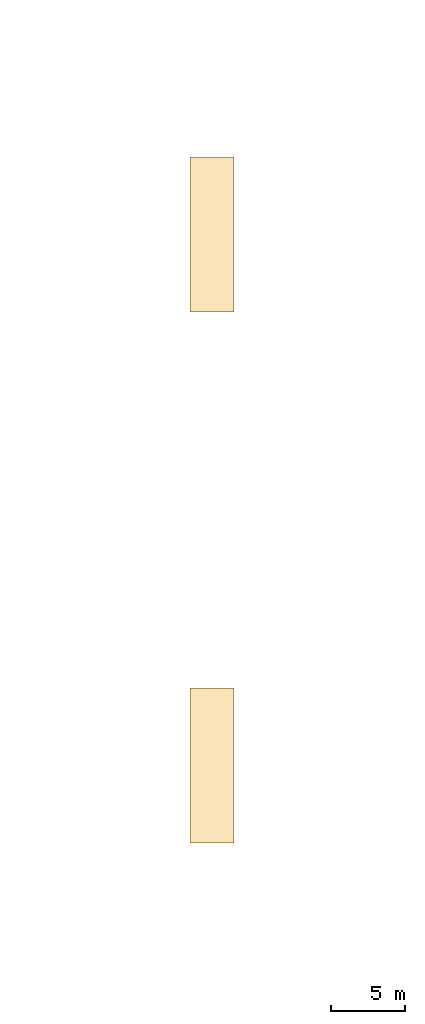
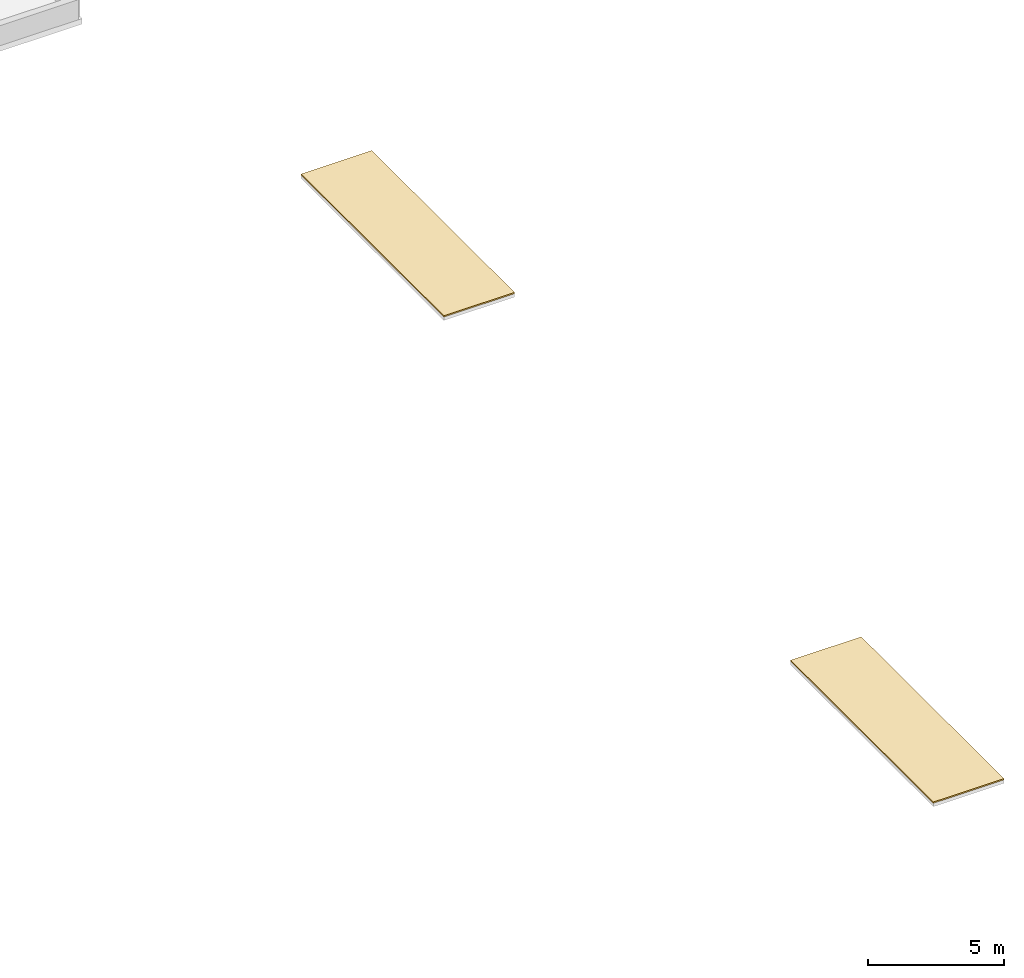
# One storey, part 37 of 42: 2 coverings.
"""IFC4 building model written with IfcOpenShell, lengths in metres."""

from ifc_helpers import new_model, si_unit, direction, frame, origin, place, context, subcontext, project, spatial, polyline, outline, extrude, material, layer, layer_set, type_object, element, save


model = new_model("IFC4")

# Units and contexts
model_context = context("Model", 3, precision=1e-05, world=origin(), true_north=direction((0.0, 1.0)))
body_context = subcontext(model_context, "Body", "Model", "MODEL_VIEW")
ifc_project = project(units=[si_unit("LENGTHUNIT", "METRE"), si_unit("AREAUNIT", "SQUARE_METRE"), si_unit("VOLUMEUNIT", "CUBIC_METRE"), si_unit("PLANEANGLEUNIT", "RADIAN"), si_unit("MASSUNIT", "GRAM", prefix="KILO")], contexts=[model_context])

# Site, building, storey
site_placement = place(None, origin())
site = spatial("IfcSite", under=ifc_project, at=site_placement, CompositionType="ELEMENT")
building_placement = place(site_placement, origin())
building = spatial("IfcBuilding", under=site, at=building_placement, Name="Golden Quay Civic Hall", CompositionType="ELEMENT")
storey_placement = place(building_placement, frame((0.0, 0.0, 22.800048828125)))
storey = spatial("IfcBuildingStorey", under=building, at=storey_placement, Name="L05", CompositionType="ELEMENT", Elevation=22.800048828125)

# Coverings
ifc_material = material(Name="Clay roof tile")
ifc_layer = layer(ifc_material, 0.06005859375)
ifc_layer_set = layer_set([ifc_layer], Name="Clay roof tile 60")
covering_type = type_object("IfcCoveringType", Name="Clay roof tile 60", PredefinedType="ROOFING", material=ifc_layer_set)
covering_1_placement = place(storey_placement, frame((0.0, 0.0, -0.1474609375)))
element("IfcCovering", 1, at=covering_1_placement, inside=storey, type_object=covering_type, Name="Roof tiles EM-S cap", PredefinedType="ROOFING", context=body_context, shape_type="SweptSolid", body=[
    extrude(outline(polyline([(110.25, 3.75), (113.25, 3.75), (113.25, 14.25), (110.25, 14.25), (110.25, 3.75)])), origin(), (0.0, 0.0, 1.0), 0.059814453125),
])
covering_2_placement = place(storey_placement, frame((0.0, 0.0, -0.1474609375)))
element("IfcCovering", 2, at=covering_2_placement, inside=storey, type_object=covering_type, Name="Roof tiles EM-N cap", PredefinedType="ROOFING", context=body_context, shape_type="SweptSolid", body=[
    extrude(outline(polyline([(110.25, 39.75), (113.25, 39.75), (113.25, 50.25), (110.25, 50.25), (110.25, 39.75)])), origin(), (0.0, 0.0, 1.0), 0.059814453125),
])

save(model, "model.ifc")
